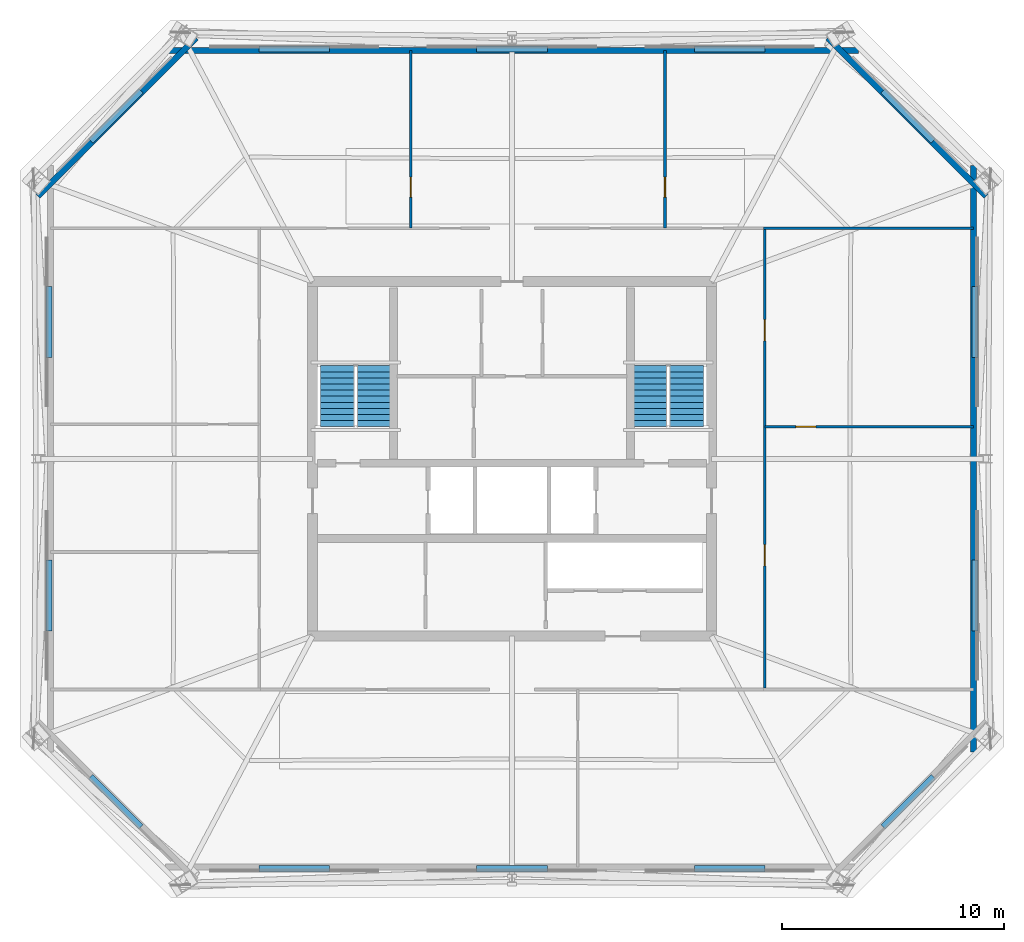
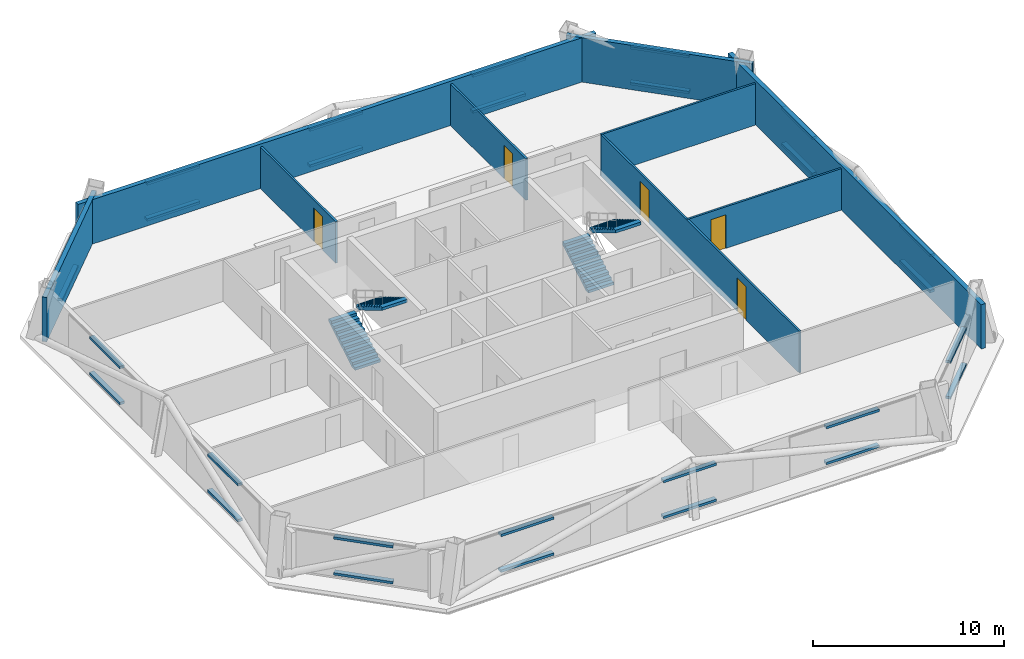
# One storey, part 4 of 6: 28 discrete accessories, 9 walls, 5 doors, 4 stair flights, 5 openings, 2 elements without a shape of their own.
"""IFC4 building model written with IfcOpenShell, lengths in metres."""

from ifc_helpers import new_model, si_unit, direction, frame, frame_2d, origin, origin_2d, place, context, subcontext, project, spatial, polyline, rectangle, outline, extrude, material, layer, layer_set, type_object, element, fill, aggregate, save


model = new_model("IFC4")

# Units and contexts
model_context = context("Model", 3, precision=1e-05, world=origin(), true_north=direction((0.0, 1.0)))
body_context = subcontext(model_context, "Body", "Model", "MODEL_VIEW")
ifc_project = project(units=[si_unit("LENGTHUNIT", "METRE"), si_unit("AREAUNIT", "SQUARE_METRE"), si_unit("VOLUMEUNIT", "CUBIC_METRE"), si_unit("PLANEANGLEUNIT", "RADIAN"), si_unit("MASSUNIT", "GRAM", prefix="KILO")], contexts=[model_context])

# Site, building, storey
site_placement = place(None, origin())
site = spatial("IfcSite", under=ifc_project, at=site_placement, CompositionType="ELEMENT")
building_placement = place(site_placement, origin())
building = spatial("IfcBuilding", under=site, at=building_placement, Name="Caelvoria Tower", CompositionType="ELEMENT")
storey_placement = place(building_placement, frame((0.0, 0.0, 205.800048828125)))
storey = spatial("IfcBuildingStorey", under=building, at=storey_placement, Name="L54", CompositionType="ELEMENT", Elevation=205.800048828125)

# Wall, opening, door
ifc_material_1 = material(Name="Acoustic Gypsum Board on Light-Gauge Stud", Category="gypsum")
ifc_layer_1 = layer(ifc_material_1, 0.1201171875, Name="Acoustic Gypsum Board on Light-Gauge Stud")
ifc_layer_set_1 = layer_set([ifc_layer_1], Name="Tenant Suite Acoustic Partition Wall 120 - Acoustic Gypsum Board on Light-Gauge Stud")
wall_type_1 = type_object("IfcWallType", Name="Tenant Suite Acoustic Partition Wall 120", PredefinedType="PARTITIONING", material=ifc_layer_set_1)
wall_1_placement = place(storey_placement, frame((41.427734375, 42.409912109375, 0.0), z_axis=(0.0, 0.0, 1.0), x_axis=(0.0, 1.0, 0.0)))
wall_1 = element("IfcWall", 1, at=wall_1_placement, inside=storey, type_object=wall_type_1, Name="Interior Partition IW-L54-ND-00-0", PredefinedType="PARTITIONING", context=body_context, shape_type="SweptSolid", body=[
    extrude(rectangle(XDim=8.010009765625, YDim=0.1201171875, at=frame_2d((4.0048828125, 0.0))), origin(), (0.0, 0.0, 1.0), 2.655029296875),
])
opening_1_placement = place(wall_1_placement, frame((1.39990234375, 0.0, 0.0)))
opening_1 = element("IfcOpeningElement", 2, at=opening_1_placement, cuts=wall_1, Name="Opening ID-06", PredefinedType="OPENING", context=body_context, shape_type="SweptSolid", body=[
    extrude(rectangle(XDim=0.89990234375, YDim=2.14990234375, at=frame_2d((0.449951171875, 1.074951171875))), frame((0.0, 0.070068359375, 0.0), z_axis=(0.0, -1.0, 0.0), x_axis=(1.0, 0.0, 0.0)), (0.0, 0.0, 1.0), 0.14013671875),
])
ifc_material_2 = material(Name="Engineered Andean Oak Veneer Door", Category="wood")
door_type_1 = type_object("IfcDoorType", Name="Interior Timber Door 900x2150", OperationType="NOTDEFINED", PredefinedType="DOOR", material=ifc_material_2)
door_1_placement = place(opening_1_placement, origin())
door_1 = element("IfcDoor", 3, at=door_1_placement, inside=storey, type_object=door_type_1, Name="Interior Door DR-L54-NM-00-0", OperationType="SINGLE_SWING_RIGHT", OverallHeight=2.14990234375, OverallWidth=0.89990234375, PredefinedType="DOOR", context=body_context, shape_type="SweptSolid", body=[
    extrude(rectangle(XDim=0.89990234375, YDim=2.14990234375, at=frame_2d((0.449951171875, 1.074951171875))), frame((0.0, 0.02490234375, 0.0), z_axis=(0.0, -1.0, 0.0), x_axis=(1.0, 0.0, 0.0)), (0.0, 0.0, 1.0), 0.050048828125),
])
fill(opening_1, door_1)

wall_2_placement = place(storey_placement, frame((52.9033203125, 42.409912109375, 0.0), z_axis=(0.0, 0.0, 1.0), x_axis=(0.0, 1.0, 0.0)))
wall_2 = element("IfcWall", 4, at=wall_2_placement, inside=storey, type_object=wall_type_1, Name="Interior Partition IW-L54-ND-02-0", PredefinedType="PARTITIONING", context=body_context, shape_type="SweptSolid", body=[
    extrude(rectangle(XDim=8.010009765625, YDim=0.1201171875, at=frame_2d((4.0048828125, 0.0))), origin(), (0.0, 0.0, 1.0), 2.655029296875),
])
opening_2_placement = place(wall_2_placement, frame((1.39990234375, 0.0, 0.0)))
opening_2 = element("IfcOpeningElement", 5, at=opening_2_placement, cuts=wall_2, Name="Opening ID-06", PredefinedType="OPENING", context=body_context, shape_type="SweptSolid", body=[
    extrude(rectangle(XDim=0.89990234375, YDim=2.14990234375, at=frame_2d((0.449951171875, 1.074951171875))), frame((0.0, 0.070068359375, 0.0), z_axis=(0.0, -1.0, 0.0), x_axis=(1.0, 0.0, 0.0)), (0.0, 0.0, 1.0), 0.14013671875),
])
door_2_placement = place(opening_2_placement, origin())
door_2 = element("IfcDoor", 6, at=door_2_placement, inside=storey, type_object=door_type_1, Name="Interior Door DR-L54-NM-02-0", OperationType="SINGLE_SWING_RIGHT", OverallHeight=2.14990234375, OverallWidth=0.89990234375, PredefinedType="DOOR", context=body_context, shape_type="SweptSolid", body=[
    extrude(rectangle(XDim=0.89990234375, YDim=2.14990234375, at=frame_2d((0.449951171875, 1.074951171875))), frame((0.0, 0.02490234375, 0.0), z_axis=(0.0, -1.0, 0.0), x_axis=(1.0, 0.0, 0.0)), (0.0, 0.0, 1.0), 0.050048828125),
])
fill(opening_2, door_2)

wall_3_placement = place(storey_placement, frame((57.409912109375, 33.44921875, 0.0), z_axis=(0.0, 0.0, 1.0), x_axis=(1.0, 0.0, 0.0)))
wall_3 = element("IfcWall", 7, at=wall_3_placement, inside=storey, type_object=wall_type_1, Name="Interior Partition IW-L54-ED-00-0", PredefinedType="PARTITIONING", context=body_context, shape_type="SweptSolid", body=[
    extrude(rectangle(XDim=9.41015625, YDim=0.1201171875, at=frame_2d((4.705078125, 0.0))), origin(), (0.0, 0.0, 1.0), 2.655029296875),
])
opening_3_placement = place(wall_3_placement, frame((1.39990234375, 0.0, 0.0)))
opening_3 = element("IfcOpeningElement", 8, at=opening_3_placement, cuts=wall_3, Name="Opening ID-06", PredefinedType="OPENING", context=body_context, shape_type="SweptSolid", body=[
    extrude(rectangle(XDim=0.89990234375, YDim=2.14990234375, at=frame_2d((0.449951171875, 1.074951171875))), frame((0.0, 0.070068359375, 0.0), z_axis=(0.0, -1.0, 0.0), x_axis=(1.0, 0.0, 0.0)), (0.0, 0.0, 1.0), 0.14013671875),
])
door_3_placement = place(opening_3_placement, origin())
door_3 = element("IfcDoor", 9, at=door_3_placement, inside=storey, type_object=door_type_1, Name="Interior Door DR-L54-EM-00-0", OperationType="SINGLE_SWING_RIGHT", OverallHeight=2.14990234375, OverallWidth=0.89990234375, PredefinedType="DOOR", context=body_context, shape_type="SweptSolid", body=[
    extrude(rectangle(XDim=0.89990234375, YDim=2.14990234375, at=frame_2d((0.449951171875, 1.074951171875))), frame((0.0, 0.02490234375, 0.0), z_axis=(0.0, -1.0, 0.0), x_axis=(1.0, 0.0, 0.0)), (0.0, 0.0, 1.0), 0.050048828125),
])
fill(opening_3, door_3)

# Wall, openings, doors
wall_4_placement = place(storey_placement, frame((57.409912109375, 21.64990234375, 0.0), z_axis=(0.0, 0.0, 1.0), x_axis=(0.0, 1.0, 0.0)))
wall_4 = element("IfcWall", 10, at=wall_4_placement, inside=storey, type_object=wall_type_1, Name="Interior Partition IW-L54-ECW-0", PredefinedType="PARTITIONING", context=body_context, shape_type="SweptSolid", body=[
    extrude(rectangle(XDim=20.7001953125, YDim=0.1201171875, at=frame_2d((10.35009765625, 0.0))), origin(), (0.0, 0.0, 1.0), 2.655029296875),
])
opening_4_placement = place(wall_4_placement, frame((5.524658203125, 0.0, 0.0)))
opening_4 = element("IfcOpeningElement", 11, at=opening_4_placement, cuts=wall_4, Name="Opening ID-05", PredefinedType="OPENING", context=body_context, shape_type="SweptSolid", body=[
    extrude(rectangle(XDim=0.949951171875, YDim=2.14990234375, at=frame_2d((0.47509765625, 1.074951171875))), frame((0.0, 0.070068359375, 0.0), z_axis=(0.0, -1.0, 0.0), x_axis=(1.0, 0.0, 0.0)), (0.0, 0.0, 1.0), 0.14013671875),
])
opening_5_placement = place(wall_4_placement, frame((15.6748046875, 0.0, 0.0)))
opening_5 = element("IfcOpeningElement", 12, at=opening_5_placement, cuts=wall_4, Name="Opening ID-05", PredefinedType="OPENING", context=body_context, shape_type="SweptSolid", body=[
    extrude(rectangle(XDim=0.949951171875, YDim=2.14990234375, at=frame_2d((0.47509765625, 1.074951171875))), frame((0.0, 0.070068359375, 0.0), z_axis=(0.0, -1.0, 0.0), x_axis=(1.0, 0.0, 0.0)), (0.0, 0.0, 1.0), 0.14013671875),
])
door_type_2 = type_object("IfcDoorType", Name="Interior Timber Door 950x2150", OperationType="NOTDEFINED", PredefinedType="DOOR", material=ifc_material_2)
door_4_placement = place(opening_4_placement, origin())
door_4 = element("IfcDoor", 13, at=door_4_placement, inside=storey, type_object=door_type_2, Name="Interior Door DR-L54-EC-00-0", OperationType="SINGLE_SWING_LEFT", OverallHeight=2.14990234375, OverallWidth=0.949951171875, PredefinedType="DOOR", context=body_context, shape_type="SweptSolid", body=[
    extrude(rectangle(XDim=0.949951171875, YDim=2.14990234375, at=frame_2d((0.47509765625, 1.074951171875))), frame((0.0, 0.02490234375, 0.0), z_axis=(0.0, -1.0, 0.0), x_axis=(1.0, 0.0, 0.0)), (0.0, 0.0, 1.0), 0.050048828125),
])
fill(opening_4, door_4)
door_5_placement = place(opening_5_placement, origin())
door_5 = element("IfcDoor", 14, at=door_5_placement, inside=storey, type_object=door_type_2, Name="Interior Door DR-L54-EC-01-0", OperationType="SINGLE_SWING_RIGHT", OverallHeight=2.14990234375, OverallWidth=0.949951171875, PredefinedType="DOOR", context=body_context, shape_type="SweptSolid", body=[
    extrude(rectangle(XDim=0.949951171875, YDim=2.14990234375, at=frame_2d((0.47509765625, 1.074951171875))), frame((0.0, 0.02490234375, 0.0), z_axis=(0.0, -1.0, 0.0), x_axis=(1.0, 0.0, 0.0)), (0.0, 0.0, 1.0), 0.050048828125),
])
fill(opening_5, door_5)

# Walls
wall_5_placement = place(storey_placement, frame((57.35009765625, 42.409912109375, 0.0), z_axis=(0.0, 0.0, 1.0), x_axis=(1.0, 0.0, 0.0)))
element("IfcWall", 15, at=wall_5_placement, inside=storey, type_object=wall_type_1, Name="Interior Partition IW-L54-BNE-0", PredefinedType="PARTITIONING", context=body_context, shape_type="SweptSolid", body=[
    extrude(rectangle(XDim=9.469970703125, YDim=0.1201171875, at=frame_2d((4.73486328125, 0.0))), origin(), (0.0, 0.0, 1.0), 2.655029296875),
])
ifc_material_3 = material(Name="Precast Concrete C40/50 with Bronze Cladding", Category="concrete")
ifc_layer_2 = layer(ifc_material_3, 0.264892578125, Name="Precast Concrete C40/50 with Bronze Cladding")
ifc_layer_set_2 = layer_set([ifc_layer_2], Name="Upper Taper Precast Concrete C40/50 Bronze Facade Wall 265 - Precast Concrete C40/50 with Bronze Cladding")
wall_type_2 = type_object("IfcWallType", Name="Upper Taper Precast Concrete C40/50 Bronze Facade Wall 265", PredefinedType="STANDARD", material=ifc_layer_set_2)
wall_6_placement = place(storey_placement, frame((66.820068359375, 18.760009765625, 0.0), z_axis=(0.0, 0.0, 1.0), x_axis=(0.0, 1.0, 0.0)))
element("IfcWall", 16, at=wall_6_placement, inside=storey, type_object=wall_type_2, Name="Exterior Facade Wall L54-E2", PredefinedType="STANDARD", context=body_context, shape_type="SweptSolid", body=[
    extrude(rectangle(XDim=26.47998046875, YDim=0.264892578125, at=frame_2d((13.239990234375, 0.0))), origin(), (0.0, 0.0, 1.0), 2.83203125),
])
wall_7_placement = place(storey_placement, frame((67.393798828125, 43.8544921875, 0.0), z_axis=(0.0, 0.0, 1.0), x_axis=(-0.707106781187, 0.707106781187, 0.0)))
element("IfcWall", 17, at=wall_7_placement, inside=storey, type_object=wall_type_2, Name="Exterior Facade Wall L54-E3", PredefinedType="STANDARD", context=body_context, shape_type="SweptSolid", body=[
    extrude(rectangle(XDim=10.0966796875, YDim=0.264892578125, at=frame_2d((5.04833984375, 0.0))), origin(), (0.0, 0.0, 1.0), 2.83203125),
])
wall_8_placement = place(storey_placement, frame((61.639892578125, 50.419921875, 0.0), z_axis=(0.0, 0.0, 1.0), x_axis=(-1.0, 0.0, 0.0)))
element("IfcWall", 18, at=wall_8_placement, inside=storey, type_object=wall_type_2, Name="Exterior Facade Wall L54-E4", PredefinedType="STANDARD", context=body_context, shape_type="SweptSolid", body=[
    extrude(rectangle(XDim=31.27978515625, YDim=0.264892578125, at=frame_2d((15.639892578125, 0.0))), origin(), (0.0, 0.0, 1.0), 2.83203125),
])
wall_9_placement = place(storey_placement, frame((31.74560546875, 50.993896484375, 0.0), z_axis=(0.0, 0.0, 1.0), x_axis=(-0.707106781187, -0.707106781187, 0.0)))
element("IfcWall", 19, at=wall_9_placement, inside=storey, type_object=wall_type_2, Name="Exterior Facade Wall L54-E5", PredefinedType="STANDARD", context=body_context, shape_type="SweptSolid", body=[
    extrude(rectangle(XDim=10.0966796875, YDim=0.264892578125, at=frame_2d((5.04833984375, 0.0))), origin(), (0.0, 0.0, 1.0), 2.83203125),
])

# Stair, stair flights
ifc_material_4 = material(Name="Concrete C40/50", Category="concrete")
stair_type = type_object("IfcStairType", Name="Core Smokeproof Dogleg Stair Concrete C40/50", PredefinedType="HALF_TURN_STAIR", material=ifc_material_4)
stair_1_placement = place(storey_placement, origin())
stair_1 = element("IfcStair", 20, at=stair_1_placement, inside=storey, type_object=stair_type, Name="ST-01 Smokeproof Exit Stair L54", PredefinedType="HALF_TURN_STAIR")
ifc_material_5 = material(Name="Precast Concrete C40/50", Category="concrete")
stair_flight_type = type_object("IfcStairFlightType", Name="Precast Concrete C40/50 Stair Flight 1480", PredefinedType="STRAIGHT", material=ifc_material_5)
stair_flight_1_placement = place(storey_placement, frame((38.1298828125, 33.449951171875, 0.0), z_axis=(0.0, 0.0, 1.0), x_axis=(0.0, 1.0, 0.0)))
stair_flight_1 = element("IfcStairFlight", 21, at=stair_flight_1_placement, type_object=stair_flight_type, Name="ST-01 flight 1", NumberOfRisers=11, NumberOfTreads=10, PredefinedType="STRAIGHT", RiserHeight=0.1636, TreadLength=0.275, context=body_context, shape_type="SweptSolid", body=[
    extrude(outline(polyline([(0.0, 0.0), (0.0, 0.16357421875), (0.27490234375, 0.16357421875), (0.27490234375, 0.3271484375), (0.550048828125, 0.3271484375), (0.550048828125, 0.49072265625), (0.824951171875, 0.49072265625), (0.824951171875, 0.654296875), (1.10009765625, 0.654296875), (1.10009765625, 0.818115234375), (1.375, 0.818115234375), (1.375, 0.981689453125), (1.64990234375, 0.981689453125), (1.64990234375, 1.145263671875), (1.925048828125, 1.145263671875), (1.925048828125, 1.308837890625), (2.199951171875, 1.308837890625), (2.199951171875, 1.472412109375), (2.47509765625, 1.472412109375), (2.47509765625, 1.635986328125), (2.75, 1.635986328125), (2.75, 1.799560546875), (2.75, 1.449951171875), (0.312744140625, 0.0), (0.0, 0.0)])), frame((0.0, 0.77001953125, 0.0), z_axis=(0.0, -1.0, 0.0), x_axis=(1.0, 0.0, 0.0)), (0.0, 0.0, 1.0), 1.5400390625),
])
stair_flight_2_placement = place(storey_placement, frame((39.77001953125, 36.199951171875, 1.800048828125), z_axis=(0.0, 0.0, 1.0), x_axis=(0.0, -1.0, 0.0)))
stair_flight_2 = element("IfcStairFlight", 22, at=stair_flight_2_placement, type_object=stair_flight_type, Name="ST-01 flight 2", NumberOfRisers=11, NumberOfTreads=10, PredefinedType="STRAIGHT", RiserHeight=0.1636, TreadLength=0.275, context=body_context, shape_type="SweptSolid", body=[
    extrude(outline(polyline([(0.0, 0.0), (0.0, 0.16357421875), (0.27490234375, 0.16357421875), (0.27490234375, 0.3271484375), (0.550048828125, 0.3271484375), (0.550048828125, 0.49072265625), (0.824951171875, 0.49072265625), (0.824951171875, 0.654296875), (1.10009765625, 0.654296875), (1.10009765625, 0.818115234375), (1.375, 0.818115234375), (1.375, 0.981689453125), (1.64990234375, 0.981689453125), (1.64990234375, 1.145263671875), (1.925048828125, 1.145263671875), (1.925048828125, 1.308837890625), (2.199951171875, 1.308837890625), (2.199951171875, 1.472412109375), (2.47509765625, 1.472412109375), (2.47509765625, 1.635986328125), (2.75, 1.635986328125), (2.75, 1.799560546875), (2.75, 1.449951171875), (0.312744140625, 0.0), (0.0, 0.0)])), frame((0.0, 0.77001953125, 0.0), z_axis=(0.0, -1.0, 0.0), x_axis=(1.0, 0.0, 0.0)), (0.0, 0.0, 1.0), 1.5400390625),
])
aggregate(stair_1, [stair_flight_1, stair_flight_2])

stair_2_placement = place(storey_placement, origin())
stair_2 = element("IfcStair", 23, at=stair_2_placement, inside=storey, type_object=stair_type, Name="ST-02 Smokeproof Exit Stair L54", PredefinedType="HALF_TURN_STAIR")
stair_flight_3_placement = place(storey_placement, frame((52.22998046875, 33.449951171875, 0.0), z_axis=(0.0, 0.0, 1.0), x_axis=(0.0, 1.0, 0.0)))
stair_flight_3 = element("IfcStairFlight", 24, at=stair_flight_3_placement, type_object=stair_flight_type, Name="ST-02 flight 1", NumberOfRisers=11, NumberOfTreads=10, PredefinedType="STRAIGHT", RiserHeight=0.1636, TreadLength=0.275, context=body_context, shape_type="SweptSolid", body=[
    extrude(outline(polyline([(0.0, 0.0), (0.0, 0.16357421875), (0.27490234375, 0.16357421875), (0.27490234375, 0.3271484375), (0.550048828125, 0.3271484375), (0.550048828125, 0.49072265625), (0.824951171875, 0.49072265625), (0.824951171875, 0.654296875), (1.10009765625, 0.654296875), (1.10009765625, 0.818115234375), (1.375, 0.818115234375), (1.375, 0.981689453125), (1.64990234375, 0.981689453125), (1.64990234375, 1.145263671875), (1.925048828125, 1.145263671875), (1.925048828125, 1.308837890625), (2.199951171875, 1.308837890625), (2.199951171875, 1.472412109375), (2.47509765625, 1.472412109375), (2.47509765625, 1.635986328125), (2.75, 1.635986328125), (2.75, 1.799560546875), (2.75, 1.449951171875), (0.312744140625, 0.0), (0.0, 0.0)])), frame((0.0, 0.77001953125, 0.0), z_axis=(0.0, -1.0, 0.0), x_axis=(1.0, 0.0, 0.0)), (0.0, 0.0, 1.0), 1.5400390625),
])
stair_flight_4_placement = place(storey_placement, frame((53.8701171875, 36.199951171875, 1.800048828125), z_axis=(0.0, 0.0, 1.0), x_axis=(0.0, -1.0, 0.0)))
stair_flight_4 = element("IfcStairFlight", 25, at=stair_flight_4_placement, type_object=stair_flight_type, Name="ST-02 flight 2", NumberOfRisers=11, NumberOfTreads=10, PredefinedType="STRAIGHT", RiserHeight=0.1636, TreadLength=0.275, context=body_context, shape_type="SweptSolid", body=[
    extrude(outline(polyline([(0.0, 0.0), (0.0, 0.16357421875), (0.27490234375, 0.16357421875), (0.27490234375, 0.3271484375), (0.550048828125, 0.3271484375), (0.550048828125, 0.49072265625), (0.824951171875, 0.49072265625), (0.824951171875, 0.654296875), (1.10009765625, 0.654296875), (1.10009765625, 0.818115234375), (1.375, 0.818115234375), (1.375, 0.981689453125), (1.64990234375, 0.981689453125), (1.64990234375, 1.145263671875), (1.925048828125, 1.145263671875), (1.925048828125, 1.308837890625), (2.199951171875, 1.308837890625), (2.199951171875, 1.472412109375), (2.47509765625, 1.472412109375), (2.47509765625, 1.635986328125), (2.75, 1.635986328125), (2.75, 1.799560546875), (2.75, 1.449951171875), (0.312744140625, 0.0), (0.0, 0.0)])), frame((0.0, 0.77001953125, 0.0), z_axis=(0.0, -1.0, 0.0), x_axis=(1.0, 0.0, 0.0)), (0.0, 0.0, 1.0), 1.5400390625),
])
aggregate(stair_2, [stair_flight_3, stair_flight_4])

# Discrete accessories
ifc_material_6 = material(Name="Anodised Bronze Stainless Bracket", Category="bronze")
discrete_accessory_type = type_object("IfcDiscreteAccessoryType", Name="Solar Screen Outrigger Support Bracket", PredefinedType="BRACKET", material=ifc_material_6)
for number, where, z_axis, x_axis, name in (
    (26, (36.17333984375, 13.507080078125, 0.240234375), (0.0, 0.0, 1.0), (1.0, 0.0, 0.0), "Solar Screen Bracket L54-E0-00"),
    (27, (36.17333984375, 13.507080078125, 2.5322265625), (0.0, 0.0, 1.0), (1.0, 0.0, 0.0), "Upper Screen Band Bracket L54-E0-00"),
    (28, (46.0, 13.507080078125, 0.240234375), (0.0, 0.0, 1.0), (1.0, 0.0, 0.0), "Solar Screen Bracket L54-E0-01"),
    (29, (46.0, 13.507080078125, 2.5322265625), (0.0, 0.0, 1.0), (1.0, 0.0, 0.0), "Upper Screen Band Bracket L54-E0-01"),
    (30, (55.82666015625, 13.507080078125, 0.240234375), (0.0, 0.0, 1.0), (1.0, 0.0, 0.0), "Solar Screen Bracket L54-E0-02"),
    (31, (55.82666015625, 13.507080078125, 2.5322265625), (0.0, 0.0, 1.0), (1.0, 0.0, 0.0), "Upper Screen Band Bracket L54-E0-02"),
    (32, (63.875732421875, 16.5244140625, 0.240234375), (0.0, 0.0, 1.0), (0.707106781187, 0.707106781187, 0.0), "Solar Screen Bracket L54-E1-00"),
    (33, (63.875732421875, 16.5244140625, 2.5322265625), (0.0, 0.0, 1.0), (0.707106781187, 0.707106781187, 0.0), "Upper Screen Band Bracket L54-E1-00"),
    (34, (66.892822265625, 25.830078125, 0.240234375), (0.0, 0.0, 1.0), (0.0, 1.0, 0.0), "Solar Screen Bracket L54-E2-00"),
    (35, (66.892822265625, 25.830078125, 2.5322265625), (0.0, 0.0, 1.0), (0.0, 1.0, 0.0), "Upper Screen Band Bracket L54-E2-00"),
    (36, (66.892822265625, 38.169921875, 0.240234375), (0.0, 0.0, 1.0), (0.0, 1.0, 0.0), "Solar Screen Bracket L54-E2-01"),
    (37, (66.892822265625, 38.169921875, 2.5322265625), (0.0, 0.0, 1.0), (0.0, 1.0, 0.0), "Upper Screen Band Bracket L54-E2-01"),
    (38, (63.875732421875, 47.4755859375, 0.240234375), (0.0, 0.0, 1.0), (-0.707106781187, 0.707106781187, 0.0), "Solar Screen Bracket L54-E3-00"),
    (39, (63.875732421875, 47.4755859375, 2.5322265625), (0.0, 0.0, 1.0), (-0.707106781187, 0.707106781187, 0.0), "Upper Screen Band Bracket L54-E3-00"),
    (40, (55.82666015625, 50.492919921875, 0.240234375), (0.0, 0.0, 1.0), (-1.0, 0.0, 0.0), "Solar Screen Bracket L54-E4-00"),
    (41, (55.82666015625, 50.492919921875, 2.5322265625), (0.0, 0.0, 1.0), (-1.0, 0.0, 0.0), "Upper Screen Band Bracket L54-E4-00"),
    (42, (46.0, 50.492919921875, 0.240234375), (0.0, 0.0, 1.0), (-1.0, 0.0, 0.0), "Solar Screen Bracket L54-E4-01"),
    (43, (46.0, 50.492919921875, 2.5322265625), (0.0, 0.0, 1.0), (-1.0, 0.0, 0.0), "Upper Screen Band Bracket L54-E4-01"),
    (44, (36.17333984375, 50.492919921875, 0.240234375), (0.0, 0.0, 1.0), (-1.0, 0.0, 0.0), "Solar Screen Bracket L54-E4-02"),
    (45, (36.17333984375, 50.492919921875, 2.5322265625), (0.0, 0.0, 1.0), (-1.0, 0.0, 0.0), "Upper Screen Band Bracket L54-E4-02"),
    (46, (28.124267578125, 47.4755859375, 0.240234375), (0.0, 0.0, 1.0), (-0.707106781187, -0.707106781187, 0.0), "Solar Screen Bracket L54-E5-00"),
    (47, (28.124267578125, 47.4755859375, 2.5322265625), (0.0, 0.0, 1.0), (-0.707106781187, -0.707106781187, 0.0), "Upper Screen Band Bracket L54-E5-00"),
    (48, (25.107177734375, 38.169921875, 0.240234375), (0.0, 0.0, 1.0), (0.0, -1.0, 0.0), "Solar Screen Bracket L54-E6-00"),
    (49, (25.107177734375, 38.169921875, 2.5322265625), (0.0, 0.0, 1.0), (0.0, -1.0, 0.0), "Upper Screen Band Bracket L54-E6-00"),
    (50, (25.107177734375, 25.830078125, 0.240234375), (0.0, 0.0, 1.0), (0.0, -1.0, 0.0), "Solar Screen Bracket L54-E6-01"),
    (51, (25.107177734375, 25.830078125, 2.5322265625), (0.0, 0.0, 1.0), (0.0, -1.0, 0.0), "Upper Screen Band Bracket L54-E6-01"),
    (52, (28.124267578125, 16.5244140625, 0.240234375), (0.0, 0.0, 1.0), (0.707106781187, -0.707106781187, 0.0), "Solar Screen Bracket L54-E7-00"),
    (53, (28.124267578125, 16.5244140625, 2.5322265625), (0.0, 0.0, 1.0), (0.707106781187, -0.707106781187, 0.0), "Upper Screen Band Bracket L54-E7-00"),
):
    element("IfcDiscreteAccessory", number, at=place(storey_placement, frame(where, z_axis=z_axis, x_axis=x_axis)), inside=storey, type_object=discrete_accessory_type, Name=name, PredefinedType="BRACKET", context=body_context, shape_type="SweptSolid", body=[
        extrude(rectangle(XDim=3.199951171875, YDim=0.280029296875, at=origin_2d()), origin(), (0.0, 0.0, 1.0), 0.159912109375),
    ])

save(model, "model.ifc")
